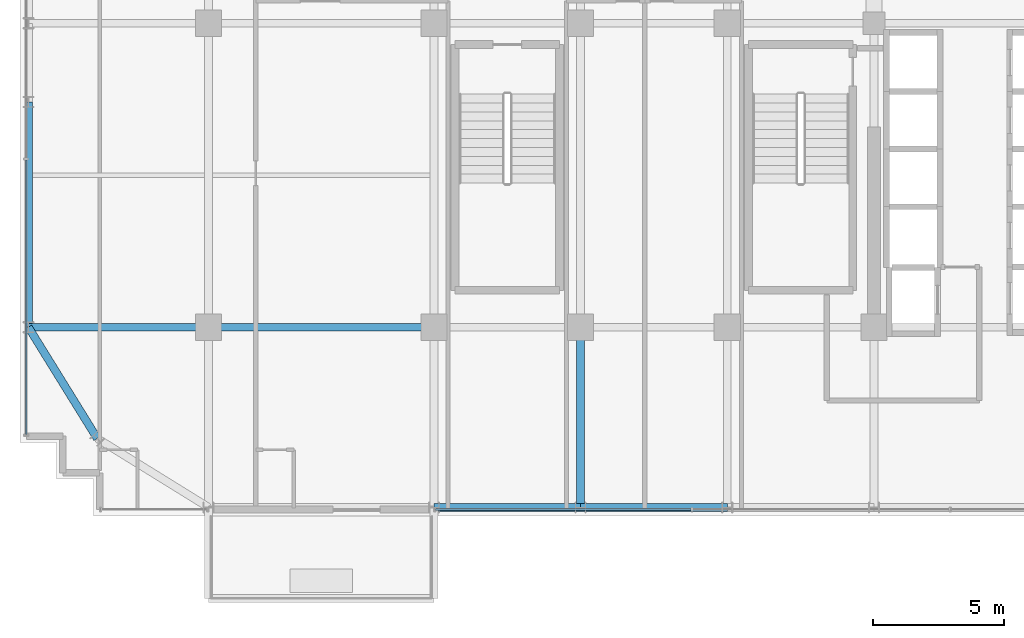
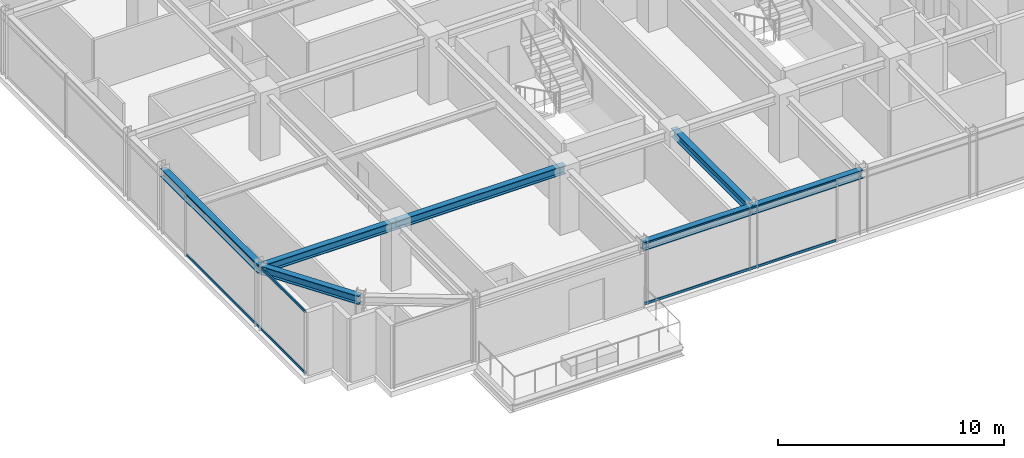
# One storey, part 5 of 34: 7 beams, 4 members, 2 elements without a shape of their own.
"""IFC4 building model written with IfcOpenShell, lengths in metres."""

from ifc_helpers import new_model, si_unit, direction, frame, origin, origin_2d, place, context, subcontext, project, spatial, hollow_rectangle, i_section, extrude, source, transform, mapped, material, material_profile, profile_set, type_object, element, aggregate, save


model = new_model("IFC4")

# Units and contexts
model_context = context("Model", 3, precision=1e-05, world=origin(), true_north=direction((0.0, 1.0)))
body_context = subcontext(model_context, "Body", "Model", "MODEL_VIEW")
ifc_project = project(units=[si_unit("LENGTHUNIT", "METRE"), si_unit("AREAUNIT", "SQUARE_METRE"), si_unit("VOLUMEUNIT", "CUBIC_METRE"), si_unit("PLANEANGLEUNIT", "RADIAN"), si_unit("MASSUNIT", "GRAM", prefix="KILO")], contexts=[model_context])

# Site, building, storey
site_placement = place(None, origin())
site = spatial("IfcSite", under=ifc_project, at=site_placement, CompositionType="ELEMENT")
building_placement = place(site_placement, origin())
building = spatial("IfcBuilding", under=site, at=building_placement, Name="Nahalor Promenade Grand Hotel", CompositionType="ELEMENT")
storey_placement = place(building_placement, frame((0.0, 0.0, 238.199951171875)))
storey = spatial("IfcBuildingStorey", under=building, at=storey_placement, Name="L61", CompositionType="ELEMENT", Elevation=238.199951171875)

# Beams
ifc_material_1 = material(Name="Steel S355JR", Category="steel")
ifc_material_profile_1 = material_profile(ifc_material_1, i_section(OverallWidth=0.3, OverallDepth=0.45, WebThickness=0.014, FlangeThickness=0.026, at=origin_2d()), Name="HEB 450")
ifc_profile_set_1 = profile_set([ifc_material_profile_1], Name="Steel S355JR")
beam_type_1 = type_object("IfcBeamType", Name="Beam-Spandrel-HEB450", PredefinedType="SPANDREL", material=ifc_profile_set_1)
shared_shape_1 = source(origin(), body_context, "Body", "SweptSolid", [
    extrude(i_section(OverallWidth=0.3, OverallDepth=0.45, WebThickness=0.014, FlangeThickness=0.026, at=origin_2d()), origin(), (0.0, 0.0, 1.0), 8.60009765625),
])
beam_1_placement = place(storey_placement, frame((-23.8798828125, -17.0, 3.18505859375), z_axis=(0.0, 1.0, 0.0), x_axis=(-1.0, 0.0, 0.0)))
element("IfcBeam", 1, at=beam_1_placement, inside=storey, type_object=beam_type_1, Name="BM-L61-SP-W-0", PredefinedType="SPANDREL", context=body_context, shape_type="MappedRepresentation", body=[
    mapped(shared_shape_1, transform((0.0, 0.0, 0.0), scale=1.0)),
])
shared_shape_2 = source(origin(), body_context, "Body", "SweptSolid", [
    extrude(i_section(OverallWidth=0.3, OverallDepth=0.45, WebThickness=0.014, FlangeThickness=0.026, at=origin_2d()), origin(), (0.0, 0.0, 1.0), 5.599853515625),
])
beam_2_placement = place(storey_placement, frame((-8.39990234375, -23.8798828125, 3.18505859375), z_axis=(1.0, 0.0, 0.0), x_axis=(0.0, 1.0, 0.0)))
element("IfcBeam", 2, at=beam_2_placement, inside=storey, type_object=beam_type_1, Name="BM-L61-SP-S-1", PredefinedType="SPANDREL", context=body_context, shape_type="MappedRepresentation", body=[
    mapped(shared_shape_2, transform((0.0, 0.0, 0.0), scale=1.0)),
])
shared_shape_3 = source(origin(), body_context, "Body", "SweptSolid", [
    extrude(i_section(OverallWidth=0.3, OverallDepth=0.45, WebThickness=0.014, FlangeThickness=0.026, at=origin_2d()), origin(), (0.0, 0.0, 1.0), 5.60009765625),
])
beam_3_placement = place(storey_placement, frame((-2.800048828125, -23.8798828125, 3.18505859375), z_axis=(1.0, 0.0, 0.0), x_axis=(0.0, 1.0, 0.0)))
element("IfcBeam", 3, at=beam_3_placement, inside=storey, type_object=beam_type_1, Name="BM-L61-SP-S-2", PredefinedType="SPANDREL", context=body_context, shape_type="MappedRepresentation", body=[
    mapped(shared_shape_3, transform((0.0, 0.0, 0.0), scale=1.0)),
])
shared_shape_4 = source(origin(), body_context, "Body", "SweptSolid", [
    extrude(i_section(OverallWidth=0.3, OverallDepth=0.45, WebThickness=0.014, FlangeThickness=0.026, at=origin_2d()), origin(), (0.0, 0.0, 1.0), 4.997802734375),
])
beam_4_placement = place(storey_placement, frame((-21.25, -21.25, 3.18505859375), z_axis=(-0.526199891161, 0.850360908404, 0.0), x_axis=(-0.850360908404, -0.526199891161, 0.0)))
element("IfcBeam", 4, at=beam_4_placement, inside=storey, type_object=beam_type_1, Name="BM-L61-SPC-SW-2", PredefinedType="SPANDREL", context=body_context, shape_type="MappedRepresentation", body=[
    mapped(shared_shape_4, transform((0.0, 0.0, 0.0), scale=1.0)),
])
ifc_material_profile_2 = material_profile(ifc_material_1, i_section(OverallWidth=0.3, OverallDepth=0.45, WebThickness=0.014, FlangeThickness=0.026, at=origin_2d()), Name="HEB 450")
ifc_profile_set_2 = profile_set([ifc_material_profile_2], Name="Steel S355JR")
beam_type_2 = type_object("IfcBeamType", Name="Beam-Girder-HEB450", PredefinedType="BEAM", material=ifc_profile_set_2)
shared_shape_5 = source(origin(), body_context, "Body", "SweptSolid", [
    extrude(i_section(OverallWidth=0.3, OverallDepth=0.45, WebThickness=0.014, FlangeThickness=0.026, at=origin_2d()), origin(), (0.0, 0.0, 1.0), 6.8798828125),
])
for number, where, z_axis, x_axis, name in (
    (5, (-23.8798828125, -17.0, 3.18505859375), (1.0, 0.0, 0.0), (0.0, 1.0, 0.0), "BM-L61-GX-0-0"),
    (6, (-2.800048828125, -23.8798828125, 3.18505859375), (0.0, 1.0, 0.0), (-1.0, 0.0, 0.0), "BM-L61-GY-2-0"),
):
    element("IfcBeam", number, at=place(storey_placement, frame(where, z_axis=z_axis, x_axis=x_axis)), inside=storey, type_object=beam_type_2, Name=name, PredefinedType="BEAM", context=body_context, shape_type="MappedRepresentation", body=[
        mapped(shared_shape_5, transform((0.0, 0.0, 0.0), scale=1.0)),
    ])
shared_shape_6 = source(origin(), body_context, "Body", "SweptSolid", [
    extrude(i_section(OverallWidth=0.3, OverallDepth=0.45, WebThickness=0.014, FlangeThickness=0.026, at=origin_2d()), origin(), (0.0, 0.0, 1.0), 8.60009765625),
])
beam_5_placement = place(storey_placement, frame((-17.0, -17.0, 3.18505859375), z_axis=(1.0, 0.0, 0.0), x_axis=(0.0, 1.0, 0.0)))
element("IfcBeam", 7, at=beam_5_placement, inside=storey, type_object=beam_type_2, Name="BM-L61-GX-0-1", PredefinedType="BEAM", context=body_context, shape_type="MappedRepresentation", body=[
    mapped(shared_shape_6, transform((0.0, 0.0, 0.0), scale=1.0)),
])

# Curtain wall, members
ifc_material_2 = material(Name="Anodised Bronze Aluminium EN AW-6063 T6", Category="aluminium")
curtain_wall_type = type_object("IfcCurtainWallType", Name="CW2 Typical Hotel Flush Bronze Unitised Curtain Wall", PredefinedType="USERDEFINED", material=ifc_material_2)
curtain_wall_1_placement = place(storey_placement, origin())
curtain_wall_1 = element("IfcCurtainWall", 8, at=curtain_wall_1_placement, inside=storey, type_object=curtain_wall_type, Name="L61 Curtain Wall CW-L61-W-1", ObjectType="UNITISED_CURTAIN_WALL", PredefinedType="USERDEFINED")
ifc_material_profile_3 = material_profile(ifc_material_2, hollow_rectangle(XDim=0.065, YDim=0.13, WallThickness=0.004, at=origin_2d()), Name="CWT 65x130x4")
ifc_profile_set_3 = profile_set([ifc_material_profile_3], Name="Anodised Bronze Aluminium EN AW-6063 T6")
member_type = type_object("IfcMemberType", Name="CWT2 Typical Bronze Transom 65x130", PredefinedType="USERDEFINED", material=ifc_profile_set_3)
shared_shape_7 = source(origin(), body_context, "Body", "SweptSolid", [
    extrude(hollow_rectangle(XDim=0.065, YDim=0.13, WallThickness=0.004, at=origin_2d()), origin(), (0.0, 0.0, 1.0), 10.482421875),
])
member_1_placement = place(storey_placement, frame((-23.9599609375, -21.094970703125, 0.06494140625), z_axis=(0.0, 1.0, 0.0), x_axis=(-1.0, 0.0, 0.0)))
member_1 = element("IfcMember", 9, at=member_1_placement, type_object=member_type, Name="CW-L61-W-1 Transom 0-0", ObjectType="TRANSOM", PredefinedType="USERDEFINED", context=body_context, shape_type="MappedRepresentation", body=[
    mapped(shared_shape_7, transform((0.0, 0.0, 0.0), scale=1.0)),
])
member_2_placement = place(storey_placement, frame((-23.9599609375, -21.094970703125, 3.344970703125), z_axis=(0.0, 1.0, 0.0), x_axis=(-1.0, 0.0, 0.0)))
member_2 = element("IfcMember", 10, at=member_2_placement, type_object=member_type, Name="CW-L61-W-1 Transom 0-1", ObjectType="TRANSOM", PredefinedType="USERDEFINED", context=body_context, shape_type="MappedRepresentation", body=[
    mapped(shared_shape_7, transform((0.0, 0.0, 0.0), scale=1.0)),
])
aggregate(curtain_wall_1, [member_1, member_2])

curtain_wall_2_placement = place(storey_placement, origin())
curtain_wall_2 = element("IfcCurtainWall", 11, at=curtain_wall_2_placement, inside=storey, type_object=curtain_wall_type, Name="L61 Curtain Wall CW-L61-S-3", ObjectType="UNITISED_CURTAIN_WALL", PredefinedType="USERDEFINED")
shared_shape_8 = source(origin(), body_context, "Body", "SweptSolid", [
    extrude(hollow_rectangle(XDim=0.065, YDim=0.13, WallThickness=0.004, at=origin_2d()), origin(), (0.0, 0.0, 1.0), 9.755859375),
])
member_3_placement = place(storey_placement, frame((-8.3349609375, -23.9599609375, 0.06494140625), z_axis=(1.0, 0.0, 0.0), x_axis=(0.0, 1.0, 0.0)))
member_3 = element("IfcMember", 12, at=member_3_placement, type_object=member_type, Name="CW-L61-S-3 Transom 0-0", ObjectType="TRANSOM", PredefinedType="USERDEFINED", context=body_context, shape_type="MappedRepresentation", body=[
    mapped(shared_shape_8, transform((0.0, 0.0, 0.0), scale=1.0)),
])
member_4_placement = place(storey_placement, frame((-8.3349609375, -23.9599609375, 3.344970703125), z_axis=(1.0, 0.0, 0.0), x_axis=(0.0, 1.0, 0.0)))
member_4 = element("IfcMember", 13, at=member_4_placement, type_object=member_type, Name="CW-L61-S-3 Transom 0-1", ObjectType="TRANSOM", PredefinedType="USERDEFINED", context=body_context, shape_type="MappedRepresentation", body=[
    mapped(shared_shape_8, transform((0.0, 0.0, 0.0), scale=1.0)),
])
aggregate(curtain_wall_2, [member_3, member_4])

save(model, "model.ifc")
